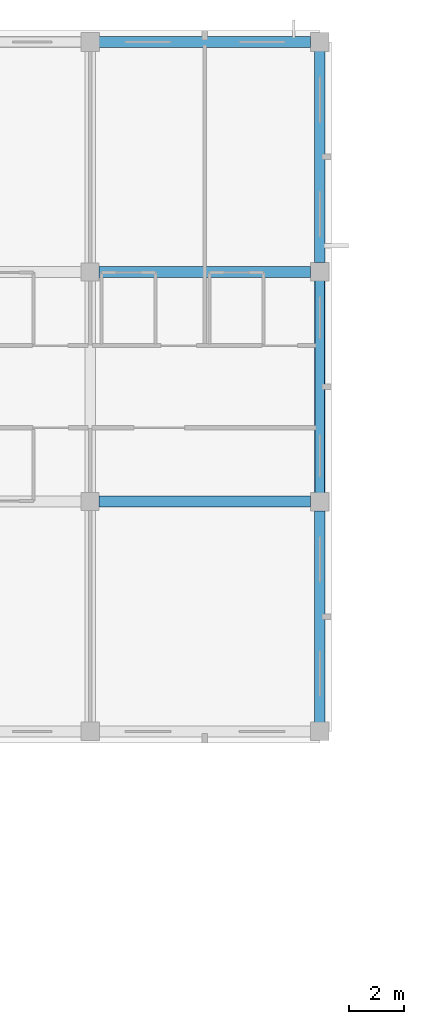
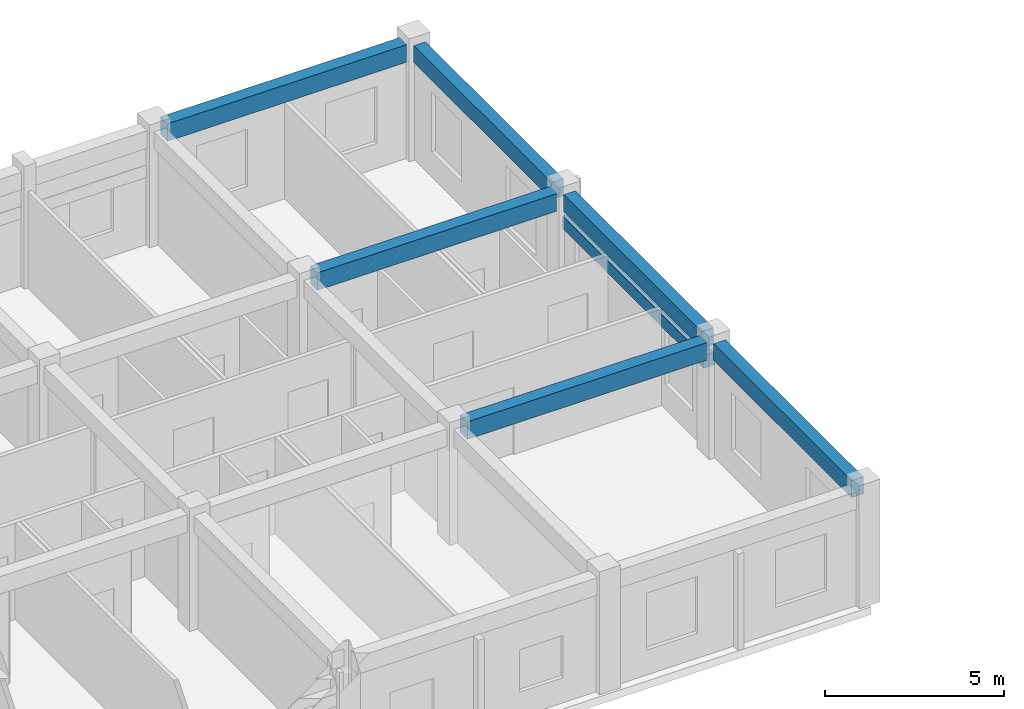
# One storey, part 95 of 140: 7 beams.
"""IFC4 building model written with IfcOpenShell, lengths in metres."""

from ifc_helpers import new_model, si_unit, direction, frame, origin, origin_2d, place, context, subcontext, project, spatial, rectangle, extrude, material, material_profile, profile_set, type_object, element, save


model = new_model("IFC4")

# Units and contexts
model_context = context("Model", 3, precision=1e-05, world=origin(), true_north=direction((0.0, 1.0)))
body_context = subcontext(model_context, "Body", "Model", "MODEL_VIEW")
ifc_project = project(units=[si_unit("LENGTHUNIT", "METRE"), si_unit("AREAUNIT", "SQUARE_METRE"), si_unit("VOLUMEUNIT", "CUBIC_METRE"), si_unit("PLANEANGLEUNIT", "RADIAN"), si_unit("MASSUNIT", "GRAM", prefix="KILO")], contexts=[model_context])

# Site, building, storey
site_placement = place(None, origin())
site = spatial("IfcSite", under=ifc_project, at=site_placement, CompositionType="ELEMENT")
building_placement = place(site_placement, origin())
building = spatial("IfcBuilding", under=site, at=building_placement, Name="Trelvath General Hospital", CompositionType="ELEMENT")
storey_placement = place(building_placement, frame((0.0, 0.0, 16.199951171875)))
storey = spatial("IfcBuildingStorey", under=building, at=storey_placement, Name="L04", CompositionType="ELEMENT", Elevation=16.199951171875)

# Beams
ifc_material_1 = material(Name="Concrete C35/45", Category="concrete")
ifc_material_profile_1 = material_profile(ifc_material_1, rectangle(XDim=0.3798828125, YDim=0.580078125, at=origin_2d()), Name="RCB380x580")
ifc_profile_set_1 = profile_set([ifc_material_profile_1], Name="Concrete C35/45")
beam_type_1 = type_object("IfcBeamType", Name="Beam RC380x580", PredefinedType="BEAM", material=ifc_profile_set_1)
for number, where, z_axis, x_axis, name in (
    (1, (134.39990234375, 92.735107421875, 3.630126953125), (0.0, 1.0, 0.0), (-1.0, 0.0, 0.0), "Grid Beam BY-416L"),
    (2, (134.39990234375, 101.135009765625, 3.630126953125), (0.0, 1.0, 0.0), (-1.0, 0.0, 0.0), "Grid Beam BY-416M"),
    (3, (134.39990234375, 109.534912109375, 3.630126953125), (0.0, 1.0, 0.0), (-1.0, 0.0, 0.0), "Grid Beam BY-416N"),
):
    element("IfcBeam", number, at=place(storey_placement, frame(where, z_axis=z_axis, x_axis=x_axis)), inside=storey, type_object=beam_type_1, Name=name, PredefinedType="BEAM", context=body_context, shape_type="SweptSolid", body=[
        extrude(rectangle(XDim=0.3798828125, YDim=0.580078125, at=origin_2d()), origin(), (0.0, 0.0, 1.0), 7.72998046875),
    ])
ifc_material_2 = material(Name="Concrete C35/45", Category="concrete")
ifc_material_profile_2 = material_profile(ifc_material_2, rectangle(XDim=0.39990234375, YDim=0.60009765625, at=origin_2d()), Name="RCB400x600")
ifc_profile_set_2 = profile_set([ifc_material_profile_2], Name="Concrete C35/45")
beam_type_2 = type_object("IfcBeamType", Name="Beam RC400x600", PredefinedType="BEAM", material=ifc_profile_set_2)
for number, where, z_axis, x_axis, name in (
    (4, (126.324951171875, 100.800048828125, 3.6201171875), (1.0, 0.0, 0.0), (0.0, 1.0, 0.0), "Grid Beam BX-415M"),
    (5, (126.324951171875, 109.199951171875, 3.6201171875), (1.0, 0.0, 0.0), (0.0, 1.0, 0.0), "Grid Beam BX-415N"),
):
    element("IfcBeam", number, at=place(storey_placement, frame(where, z_axis=z_axis, x_axis=x_axis)), inside=storey, type_object=beam_type_2, Name=name, PredefinedType="BEAM", context=body_context, shape_type="SweptSolid", body=[
        extrude(rectangle(XDim=0.39990234375, YDim=0.60009765625, at=origin_2d()), origin(), (0.0, 0.0, 1.0), 7.739990234375),
    ])
beam_1_placement = place(storey_placement, frame((126.3349609375, 117.60009765625, 3.6201171875), z_axis=(1.0, 0.0, 0.0), x_axis=(0.0, 1.0, 0.0)))
element("IfcBeam", 6, at=beam_1_placement, inside=storey, type_object=beam_type_2, Name="Grid Beam BX-415O", PredefinedType="BEAM", context=body_context, shape_type="SweptSolid", body=[
    extrude(rectangle(XDim=0.39990234375, YDim=0.60009765625, at=origin_2d()), origin(), (0.0, 0.0, 1.0), 7.72998046875),
])
ifc_material_3 = material(Name="Precast concrete C40/50", Category="concrete")
ifc_material_profile_3 = material_profile(ifc_material_3, rectangle(XDim=0.35009765625, YDim=0.419921875, at=origin_2d()), Name="PCL350x420")
ifc_profile_set_3 = profile_set([ifc_material_profile_3], Name="Precast concrete C40/50")
beam_type_3 = type_object("IfcBeamType", Name="Lintel PC350x420", PredefinedType="LINTEL", material=ifc_profile_set_3)
beam_2_placement = place(storey_placement, frame((134.39990234375, 108.945068359375, 2.920166015625), z_axis=(0.0, -1.0, 0.0), x_axis=(1.0, 0.0, 0.0)))
element("IfcBeam", 7, at=beam_2_placement, inside=storey, type_object=beam_type_3, Name="Precast Window Brow Lintel L04-485", PredefinedType="LINTEL", context=body_context, shape_type="SweptSolid", body=[
    extrude(rectangle(XDim=0.35009765625, YDim=0.419921875, at=origin_2d()), origin(), (0.0, 0.0, 1.0), 7.89013671875),
])

save(model, "model.ifc")
